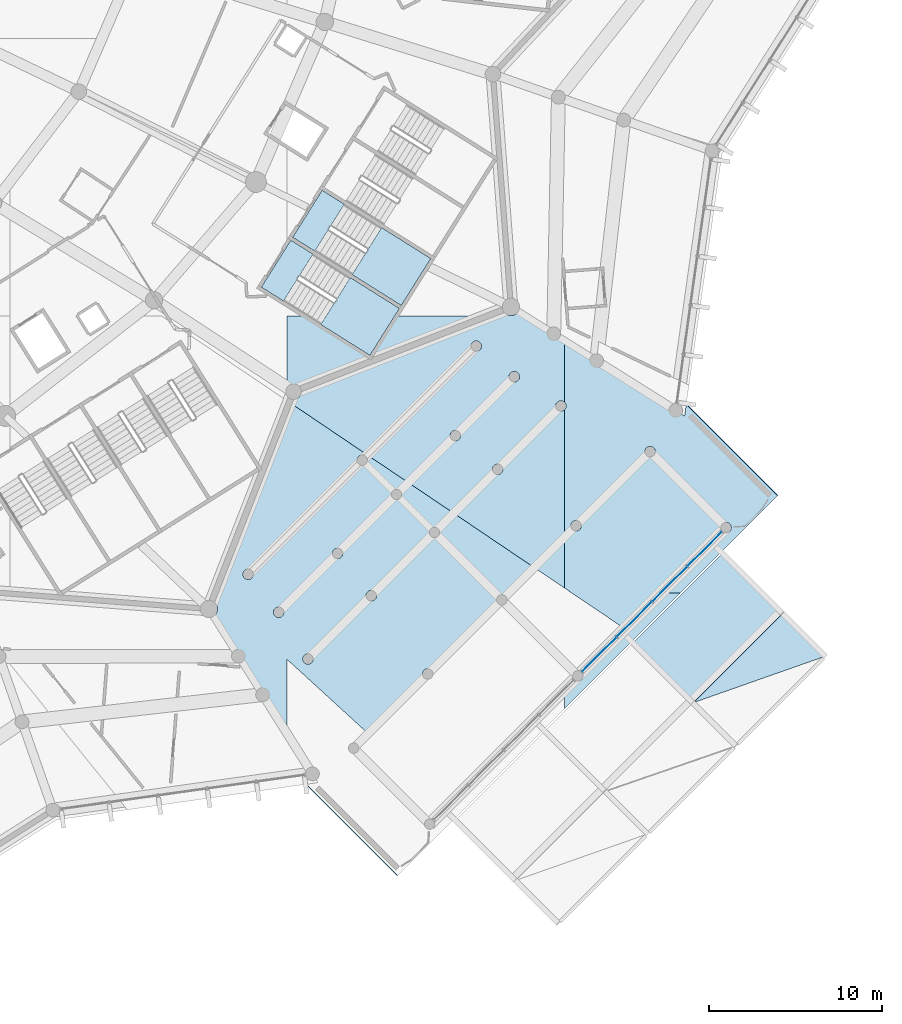
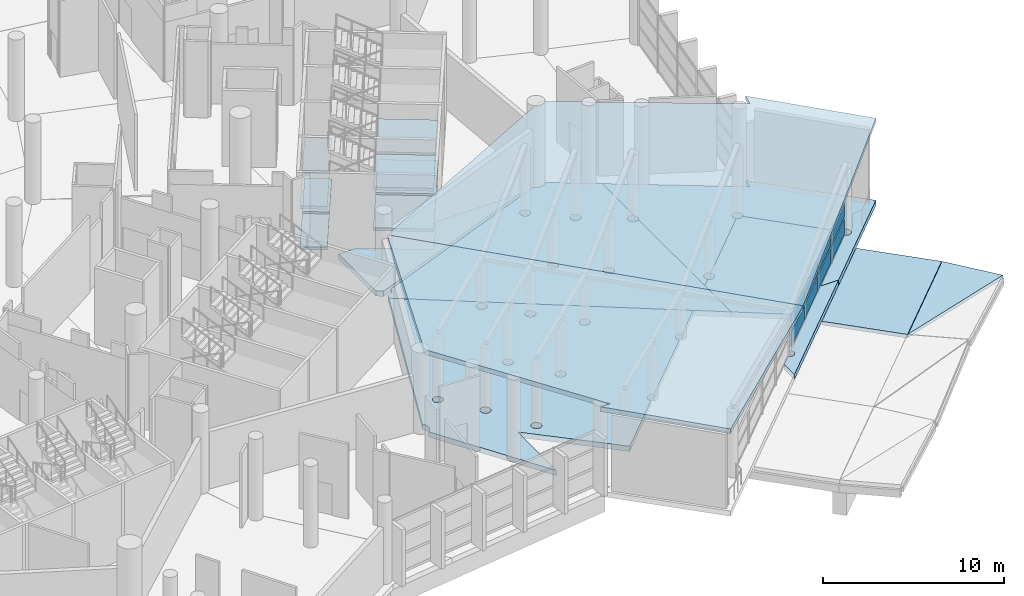
# One storey, part 130 of 271: 17 slabs, 8 plates, 3 elements without a shape of their own.
"""IFC4 building model written with IfcOpenShell, lengths in metres."""

from ifc_helpers import new_model, si_unit, direction, frame, origin, origin_2d, place, context, subcontext, project, spatial, polyline, rectangle, outline, extrude, material, layer, layer_set, type_object, element, aggregate, save


model = new_model("IFC4")

# Units and contexts
model_context = context("Model", 3, precision=1e-05, world=origin(), true_north=direction((0.0, 1.0)))
body_context = subcontext(model_context, "Body", "Model", "MODEL_VIEW")
ifc_project = project(units=[si_unit("LENGTHUNIT", "METRE"), si_unit("AREAUNIT", "SQUARE_METRE"), si_unit("VOLUMEUNIT", "CUBIC_METRE"), si_unit("PLANEANGLEUNIT", "RADIAN"), si_unit("MASSUNIT", "GRAM", prefix="KILO")], contexts=[model_context])

# Site, building, storey
site_placement = place(None, origin())
site = spatial("IfcSite", under=ifc_project, at=site_placement, CompositionType="ELEMENT")
building_placement = place(site_placement, origin())
building = spatial("IfcBuilding", under=site, at=building_placement, Name="Meseta Stadium", CompositionType="ELEMENT")
storey_placement = place(building_placement, frame((0.0, 0.0, 6.5)))
storey = spatial("IfcBuildingStorey", under=building, at=storey_placement, Name="L01", CompositionType="ELEMENT", Elevation=6.5)

# Slabs
ifc_material_1 = material(Name="White precast concrete C40/50", Category="concrete")
ifc_layer_1 = layer(ifc_material_1, 0.25)
ifc_layer_set_1 = layer_set([ifc_layer_1], Name="Canopy folded plate 250")
slab_type_1 = type_object("IfcSlabType", Name="Canopy folded plate 250", PredefinedType="ROOF", material=ifc_layer_set_1)
slab_1_placement = place(storey_placement, frame((103.4169921875, -102.325927734375, -0.10009765625), z_axis=(0.0, 0.0, 1.0), x_axis=(0.7071235026, 0.707090059377, 0.0)))
element("IfcSlab", 1, at=slab_1_placement, inside=storey, type_object=slab_type_1, Name="Entrance canopy folded plate B2", PredefinedType="ROOF", context=body_context, shape_type="SweptSolid", body=[
    extrude(outline(polyline([(0.0, 0.0), (7.300152457128014, 0.0), (7.299863944012684, 4.900201650792573), (-0.00011587554145187084, 4.900029021383546), (0.0, 0.0)])), origin(), (0.0, 0.0, -1.0), 0.25),
])
slab_2_placement = place(storey_placement, frame((103.463623046875, -102.3095703125, -0.100830078125), z_axis=(0.060423341337, -0.060423341337, 0.996342330549), x_axis=(0.942661991592, 0.331685790023, -0.037052750289)))
element("IfcSlab", 2, at=slab_2_placement, inside=storey, type_object=slab_type_1, Name="Entrance canopy folded plate T2a", PredefinedType="ROOF", context=body_context, shape_type="SweptSolid", body=[
    extrude(outline(polyline([(0.0, 0.0), (8.051759759406508, -8.500145032286355e-16), (6.537877022184194, 3.146041824573709), (0.0, 0.0)])), origin(), (0.0, 0.0, -1.0), 0.25),
])
ifc_material_2 = material(Name="Concrete C40/50", Category="concrete")
ifc_layer_2 = layer(ifc_material_2, 0.35009765625)
ifc_layer_set_2 = layer_set([ifc_layer_2], Name="Floor slab 350")
slab_type_2 = type_object("IfcSlabType", Name="Floor slab 350", PredefinedType="FLOOR", material=ifc_layer_set_2)
slab_3_placement = place(storey_placement, frame((0.0, 0.0, -0.35009765625)))
element("IfcSlab", 3, at=slab_3_placement, inside=storey, type_object=slab_type_2, Name="Floor slab L01 sector 49 panel 15", PredefinedType="FLOOR", context=body_context, shape_type="SweptSolid", body=[
    extrude(outline(polyline([(80.0, -80.0), (80.0, -84.126220703125), (80.365478515625, -84.365478515625), (91.56103515625, -80.0), (86.20068359375, -80.0), (84.771484375, -82.274658203125), (81.151611328125, -80.0), (80.0, -80.0)])), origin(), (0.0, 0.0, 1.0), 0.35009765625),
])
slab_4_placement = place(storey_placement, frame((0.0, 0.0, -0.35009765625)))
element("IfcSlab", 4, at=slab_4_placement, inside=storey, type_object=slab_type_2, Name="Gate hall floor slab 8 panel 01", PredefinedType="FLOOR", context=body_context, shape_type="SweptSolid", body=[
    extrude(outline(polyline([(75.740966796875, -97.33447265625), (80.0, -104.112548828125), (80.0, -99.828369140625), (84.66943359375, -104.102783203125), (87.894287109375, -100.878173828125), (87.84619140625, -100.8154296875), (87.81591796875, -100.742431640625), (87.8056640625, -100.664306640625), (87.81591796875, -100.5859375), (87.84619140625, -100.512939453125), (87.894287109375, -100.4501953125), (87.956787109375, -100.402099609375), (88.02978515625, -100.371826171875), (88.108154296875, -100.361572265625), (88.1865234375, -100.371826171875), (88.259521484375, -100.402099609375), (88.322265625, -100.4501953125), (92.172119140625, -96.60009765625), (92.124267578125, -96.53759765625), (92.093994140625, -96.464599609375), (92.08349609375, -96.38623046875), (92.093994140625, -96.307861328125), (92.124267578125, -96.23486328125), (92.172119140625, -96.172119140625), (92.23486328125, -96.124267578125), (92.307861328125, -96.093994140625), (92.38623046875, -96.08349609375), (92.464599609375, -96.093994140625), (92.53759765625, -96.124267578125), (92.60009765625, -96.172119140625), (94.251708984375, -94.520751953125), (86.990966796875, -89.619384765625), (80.277099609375, -85.087158203125), (75.8125, -96.53759765625), (75.831298828125, -96.552001953125), (75.911376953125, -96.656494140625), (75.961669921875, -96.778076171875), (75.97900390625, -96.908447265625), (75.961669921875, -97.0390625), (75.911376953125, -97.16064453125), (75.831298828125, -97.26513671875), (75.740966796875, -97.33447265625)]), holes=[polyline([(86.51904296875, -90.091064453125), (86.567138671875, -90.15380859375), (86.597412109375, -90.226806640625), (86.607666015625, -90.30517578125), (86.597412109375, -90.38330078125), (86.567138671875, -90.456298828125), (86.51904296875, -90.51904296875), (86.456298828125, -90.567138671875), (86.38330078125, -90.597412109375), (86.30517578125, -90.607666015625), (86.226806640625, -90.597412109375), (86.15380859375, -90.567138671875), (86.09130859375, -90.51904296875), (86.04296875, -90.456298828125), (86.0126953125, -90.38330078125), (86.00244140625, -90.30517578125), (86.0126953125, -90.226806640625), (86.04296875, -90.15380859375), (86.091064453125, -90.091064453125), (86.15380859375, -90.04296875), (86.226806640625, -90.0126953125), (86.30517578125, -90.00244140625), (86.38330078125, -90.0126953125), (86.456298828125, -90.04296875), (86.51904296875, -90.091064453125)]), polyline([(84.403564453125, -88.617431640625), (84.3251953125, -88.627685546875), (84.246826171875, -88.617431640625), (84.173828125, -88.587158203125), (84.111083984375, -88.539306640625), (84.06298828125, -88.4765625), (84.032958984375, -88.403564453125), (84.022705078125, -88.3251953125), (84.032958984375, -88.246826171875), (84.06298828125, -88.173828125), (84.111083984375, -88.111083984375), (84.173828125, -88.06298828125), (84.246826171875, -88.032958984375), (84.3251953125, -88.022705078125), (84.403564453125, -88.032958984375), (84.4765625, -88.06298828125), (84.539306640625, -88.111083984375), (84.587158203125, -88.173828125), (84.617431640625, -88.246826171875), (84.627685546875, -88.3251953125), (84.617431640625, -88.403564453125), (84.587158203125, -88.4765625), (84.539306640625, -88.539306640625), (84.4765625, -88.587158203125), (84.403564453125, -88.617431640625)]), polyline([(88.204833984375, -92.418701171875), (88.235107421875, -92.345703125), (88.283203125, -92.283203125), (88.345703125, -92.235107421875), (88.418701171875, -92.204833984375), (88.4970703125, -92.194580078125), (88.575439453125, -92.204833984375), (88.6484375, -92.235107421875), (88.7109375, -92.283203125), (88.75927734375, -92.345703125), (88.789306640625, -92.418701171875), (88.7998046875, -92.4970703125), (88.789306640625, -92.575439453125), (88.75927734375, -92.6484375), (88.711181640625, -92.711181640625), (88.6484375, -92.75927734375), (88.575439453125, -92.789306640625), (88.4970703125, -92.7998046875), (88.418701171875, -92.789306640625), (88.345703125, -92.75927734375), (88.283203125, -92.7109375), (88.235107421875, -92.6484375), (88.204833984375, -92.575439453125), (88.194580078125, -92.4970703125), (88.204833984375, -92.418701171875)]), polyline([(84.556640625, -96.2236328125), (84.54638671875, -96.145263671875), (84.556640625, -96.06689453125), (84.5869140625, -95.993896484375), (84.635009765625, -95.931396484375), (84.69775390625, -95.88330078125), (84.770751953125, -95.85302734375), (84.84912109375, -95.8427734375), (84.92724609375, -95.85302734375), (85.000244140625, -95.88330078125), (85.06298828125, -95.931396484375), (85.111083984375, -95.993896484375), (85.141357421875, -96.06689453125), (85.151611328125, -96.145263671875), (85.141357421875, -96.2236328125), (85.111083984375, -96.29638671875), (85.06298828125, -96.359130859375), (85.000244140625, -96.4072265625), (84.92724609375, -96.4375), (84.84912109375, -96.44775390625), (84.770751953125, -96.4375), (84.69775390625, -96.4072265625), (84.635009765625, -96.359130859375), (84.5869140625, -96.29638671875), (84.556640625, -96.2236328125)]), polyline([(83.199462890625, -93.781494140625), (83.169189453125, -93.854248046875), (83.12109375, -93.9169921875), (83.058349609375, -93.965087890625), (82.9853515625, -93.995361328125), (82.906982421875, -94.005615234375), (82.828857421875, -93.995361328125), (82.755859375, -93.965087890625), (82.693115234375, -93.9169921875), (82.64501953125, -93.854248046875), (82.61474609375, -93.781494140625), (82.6044921875, -93.703125), (82.61474609375, -93.624755859375), (82.64501953125, -93.5517578125), (82.693115234375, -93.489013671875), (82.755859375, -93.44091796875), (82.828857421875, -93.410888671875), (82.906982421875, -93.400390625), (82.9853515625, -93.410888671875), (83.058349609375, -93.44091796875), (83.12109375, -93.489013671875), (83.169189453125, -93.5517578125), (83.199462890625, -93.624755859375), (83.209716796875, -93.703125), (83.199462890625, -93.781494140625)]), polyline([(79.430908203125, -96.80859375), (79.50927734375, -96.79833984375), (79.58740234375, -96.80859375), (79.660400390625, -96.839111328125), (79.72314453125, -96.88720703125), (79.771240234375, -96.94970703125), (79.801513671875, -97.022705078125), (79.811767578125, -97.10107421875), (79.801513671875, -97.17919921875), (79.771240234375, -97.252197265625), (79.72314453125, -97.31494140625), (79.660400390625, -97.363037109375), (79.58740234375, -97.393310546875), (79.50927734375, -97.403564453125), (79.430908203125, -97.393310546875), (79.35791015625, -97.363037109375), (79.295166015625, -97.31494140625), (79.2470703125, -97.252197265625), (79.216796875, -97.17919921875), (79.20654296875, -97.10107421875), (79.216796875, -97.022705078125), (79.2470703125, -96.94970703125), (79.295166015625, -96.88720703125), (79.35791015625, -96.839111328125), (79.430908203125, -96.80859375)]), polyline([(81.12255859375, -100.085693359375), (81.049560546875, -100.055419921875), (80.98681640625, -100.00732421875), (80.938720703125, -99.944580078125), (80.90869140625, -99.87158203125), (80.898193359375, -99.79345703125), (80.90869140625, -99.715087890625), (80.938720703125, -99.64208984375), (80.98681640625, -99.579345703125), (81.049560546875, -99.53125), (81.12255859375, -99.501220703125), (81.200927734375, -99.49072265625), (81.279296875, -99.501220703125), (81.352294921875, -99.53125), (81.414794921875, -99.579345703125), (81.462890625, -99.64208984375), (81.4931640625, -99.715087890625), (81.50341796875, -99.79345703125), (81.4931640625, -99.87158203125), (81.462890625, -99.944580078125), (81.414794921875, -100.00732421875), (81.352294921875, -100.055419921875), (81.279296875, -100.085693359375), (81.200927734375, -100.095947265625), (81.12255859375, -100.085693359375)]), polyline([(77.52783203125, -95.12255859375), (77.479736328125, -95.059814453125), (77.449462890625, -94.98681640625), (77.439208984375, -94.90869140625), (77.449462890625, -94.830322265625), (77.479736328125, -94.75732421875), (77.52783203125, -94.694580078125), (77.590576171875, -94.646484375), (77.663330078125, -94.6162109375), (77.74169921875, -94.60595703125), (77.820068359375, -94.6162109375), (77.89306640625, -94.646484375), (77.955810546875, -94.694580078125), (78.00390625, -94.75732421875), (78.033935546875, -94.830322265625), (78.044189453125, -94.90869140625), (78.033935546875, -94.98681640625), (78.00390625, -95.059814453125), (77.955810546875, -95.12255859375), (77.89306640625, -95.170654296875), (77.820068359375, -95.200927734375), (77.74169921875, -95.211181640625), (77.663330078125, -95.200927734375), (77.590576171875, -95.170654296875), (77.52783203125, -95.12255859375)])]), origin(), (0.0, 0.0, 1.0), 0.35009765625),
])
slab_5_placement = place(storey_placement, frame((0.0, 0.0, -0.35009765625)))
element("IfcSlab", 5, at=slab_5_placement, inside=storey, type_object=slab_type_2, Name="Gate hall floor slab 8 panel 03", PredefinedType="FLOOR", context=body_context, shape_type="SweptSolid", body=[
    extrude(outline(polyline([(93.16064453125, -79.911376953125), (93.0390625, -79.961669921875), (92.908447265625, -79.97900390625), (92.778076171875, -79.961669921875), (92.656494140625, -79.911376953125), (92.552001953125, -79.831298828125), (92.53759765625, -79.8125), (80.81689453125, -84.382568359375), (80.8037109375, -84.48291015625), (80.758544921875, -84.59228515625), (80.686279296875, -84.686279296875), (80.59228515625, -84.758544921875), (80.48291015625, -84.8037109375), (80.382568359375, -84.81689453125), (80.277099609375, -85.087158203125), (96.0, -95.700927734375), (96.0, -85.42041015625), (95.944580078125, -85.462890625), (95.87158203125, -85.4931640625), (95.79345703125, -85.50341796875), (95.715087890625, -85.4931640625), (95.64208984375, -85.462890625), (95.57958984375, -85.414794921875), (95.53125, -85.352294921875), (95.501220703125, -85.279296875), (95.49072265625, -85.200927734375), (95.501220703125, -85.12255859375), (95.53125, -85.049560546875), (95.579345703125, -84.98681640625), (95.64208984375, -84.938720703125), (95.715087890625, -84.90869140625), (95.79345703125, -84.898193359375), (95.87158203125, -84.90869140625), (95.944580078125, -84.938720703125), (96.0, -84.981201171875), (96.0, -81.416015625), (93.33447265625, -79.740966796875), (93.26513671875, -79.831298828125), (93.16064453125, -79.911376953125)]), holes=[polyline([(91.993896484375, -89.111083984375), (91.931396484375, -89.06298828125), (91.88330078125, -89.000244140625), (91.85302734375, -88.92724609375), (91.8427734375, -88.84912109375), (91.85302734375, -88.770751953125), (91.88330078125, -88.69775390625), (91.931396484375, -88.635009765625), (91.993896484375, -88.5869140625), (92.06689453125, -88.556640625), (92.145263671875, -88.54638671875), (92.2236328125, -88.556640625), (92.29638671875, -88.5869140625), (92.359130859375, -88.635009765625), (92.4072265625, -88.69775390625), (92.4375, -88.770751953125), (92.44775390625, -88.84912109375), (92.4375, -88.92724609375), (92.4072265625, -89.000244140625), (92.359130859375, -89.06298828125), (92.29638671875, -89.111083984375), (92.2236328125, -89.141357421875), (92.145263671875, -89.151611328125), (92.06689453125, -89.141357421875), (91.993896484375, -89.111083984375)]), polyline([(89.703125, -86.6044921875), (89.781494140625, -86.61474609375), (89.854248046875, -86.64501953125), (89.9169921875, -86.693115234375), (89.965087890625, -86.755859375), (89.995361328125, -86.828857421875), (90.005615234375, -86.906982421875), (89.995361328125, -86.9853515625), (89.965087890625, -87.058349609375), (89.9169921875, -87.12109375), (89.854248046875, -87.169189453125), (89.781494140625, -87.199462890625), (89.703125, -87.209716796875), (89.624755859375, -87.199462890625), (89.5517578125, -87.169189453125), (89.489013671875, -87.12109375), (89.44091796875, -87.058349609375), (89.410888671875, -86.9853515625), (89.400390625, -86.906982421875), (89.410888671875, -86.828857421875), (89.44091796875, -86.755859375), (89.489013671875, -86.693115234375), (89.5517578125, -86.64501953125), (89.624755859375, -86.61474609375), (89.703125, -86.6044921875)]), polyline([(93.17919921875, -83.216796875), (93.252197265625, -83.2470703125), (93.31494140625, -83.295166015625), (93.363037109375, -83.35791015625), (93.393310546875, -83.430908203125), (93.403564453125, -83.50927734375), (93.393310546875, -83.58740234375), (93.363037109375, -83.660400390625), (93.31494140625, -83.72314453125), (93.252197265625, -83.771240234375), (93.17919921875, -83.801513671875), (93.10107421875, -83.811767578125), (93.022705078125, -83.801513671875), (92.94970703125, -83.771240234375), (92.88720703125, -83.72314453125), (92.839111328125, -83.660400390625), (92.80859375, -83.58740234375), (92.79833984375, -83.50927734375), (92.80859375, -83.430908203125), (92.839111328125, -83.35791015625), (92.88720703125, -83.295166015625), (92.94970703125, -83.2470703125), (93.022705078125, -83.216796875), (93.10107421875, -83.20654296875), (93.17919921875, -83.216796875)]), polyline([(90.90869140625, -81.439208984375), (90.98681640625, -81.449462890625), (91.059814453125, -81.479736328125), (91.12255859375, -81.52783203125), (91.170654296875, -81.590576171875), (91.200927734375, -81.663330078125), (91.211181640625, -81.74169921875), (91.200927734375, -81.820068359375), (91.170654296875, -81.89306640625), (91.12255859375, -81.955810546875), (91.059814453125, -82.00390625), (90.98681640625, -82.033935546875), (90.90869140625, -82.044189453125), (90.830322265625, -82.033935546875), (90.75732421875, -82.00390625), (90.694580078125, -81.955810546875), (90.646484375, -81.89306640625), (90.6162109375, -81.820068359375), (90.60595703125, -81.74169921875), (90.6162109375, -81.663330078125), (90.646484375, -81.590576171875), (90.694580078125, -81.52783203125), (90.75732421875, -81.479736328125), (90.830322265625, -81.449462890625), (90.90869140625, -81.439208984375)])]), origin(), (0.0, 0.0, 1.0), 0.35009765625),
])
slab_6_placement = place(storey_placement, frame((0.0, 0.0, -0.35009765625)))
element("IfcSlab", 6, at=slab_6_placement, inside=storey, type_object=slab_type_2, Name="Gate hall floor slab 8 panel 04", PredefinedType="FLOOR", context=body_context, shape_type="SweptSolid", body=[
    extrude(outline(polyline([(96.921630859375, -101.0322265625), (96.8486328125, -101.0625), (96.770263671875, -101.072998046875), (96.69189453125, -101.0625), (96.618896484375, -101.0322265625), (96.556396484375, -100.984130859375), (96.0, -101.54052734375), (96.0, -102.671875), (102.671875, -96.0), (101.54052734375, -96.0), (105.1123046875, -92.42822265625), (105.064208984375, -92.365478515625), (105.033935546875, -92.29248046875), (105.023681640625, -92.21435546875), (105.033935546875, -92.135986328125), (105.064208984375, -92.06298828125), (105.1123046875, -92.000244140625), (101.15625, -88.044189453125), (101.093505859375, -88.09228515625), (101.0205078125, -88.12255859375), (100.942138671875, -88.1328125), (100.864013671875, -88.12255859375), (100.791015625, -88.09228515625), (100.728271484375, -88.044189453125), (96.878173828125, -91.894287109375), (96.92626953125, -91.956787109375), (96.95654296875, -92.02978515625), (96.966796875, -92.108154296875), (96.95654296875, -92.1865234375), (96.92626953125, -92.259521484375), (96.878173828125, -92.322265625), (96.8154296875, -92.370361328125), (96.742431640625, -92.400390625), (96.664306640625, -92.410888671875), (96.5859375, -92.400390625), (96.512939453125, -92.370361328125), (96.4501953125, -92.322265625), (96.0, -92.7724609375), (96.0, -95.700927734375), (99.486083984375, -98.054443359375), (96.984130859375, -100.556396484375), (97.0322265625, -100.618896484375), (97.0625, -100.69189453125), (97.072998046875, -100.770263671875), (97.0625, -100.8486328125), (97.0322265625, -100.921630859375), (96.984130859375, -100.984130859375), (96.921630859375, -101.0322265625)])), origin(), (0.0, 0.0, 1.0), 0.35009765625),
])
slab_7_placement = place(storey_placement, frame((0.0, 0.0, -0.35009765625)))
element("IfcSlab", 7, at=slab_7_placement, inside=storey, type_object=slab_type_2, Name="Gate hall floor slab 8 panel 05", PredefinedType="FLOOR", context=body_context, shape_type="SweptSolid", body=[
    extrude(outline(polyline([(102.931396484375, -85.771240234375), (96.0, -81.416015625), (96.0, -84.981201171875), (96.00732421875, -84.98681640625), (96.055419921875, -85.049560546875), (96.085693359375, -85.12255859375), (96.095947265625, -85.200927734375), (96.085693359375, -85.279296875), (96.055419921875, -85.352294921875), (96.00732421875, -85.414794921875), (96.0, -85.42041015625), (96.0, -92.7724609375), (96.4501953125, -92.322265625), (96.402099609375, -92.259521484375), (96.371826171875, -92.1865234375), (96.361572265625, -92.108154296875), (96.371826171875, -92.02978515625), (96.402099609375, -91.956787109375), (96.4501953125, -91.894287109375), (96.512939453125, -91.84619140625), (96.5859375, -91.81591796875), (96.664306640625, -91.8056640625), (96.742431640625, -91.81591796875), (96.8154296875, -91.84619140625), (96.878173828125, -91.894287109375), (100.728271484375, -88.044189453125), (100.68017578125, -87.9814453125), (100.64990234375, -87.908447265625), (100.6396484375, -87.830078125), (100.64990234375, -87.751953125), (100.68017578125, -87.678955078125), (100.728271484375, -87.6162109375), (100.791015625, -87.568115234375), (100.864013671875, -87.537841796875), (100.942138671875, -87.527587890625), (101.0205078125, -87.537841796875), (101.093505859375, -87.568115234375), (101.15625, -87.6162109375), (101.2041015625, -87.678955078125), (101.234619140625, -87.751953125), (101.244873046875, -87.830078125), (101.234619140625, -87.908447265625), (101.2041015625, -87.9814453125), (101.15625, -88.044189453125), (105.1123046875, -92.000244140625), (105.175048828125, -91.9521484375), (105.247802734375, -91.922119140625), (105.326416015625, -91.91162109375), (105.404541015625, -91.922119140625), (105.4775390625, -91.9521484375), (105.540283203125, -92.000244140625), (105.58837890625, -92.06298828125), (105.618408203125, -92.135986328125), (105.62890625, -92.21435546875), (105.618408203125, -92.29248046875), (105.58837890625, -92.365478515625), (105.540283203125, -92.42822265625), (105.4775390625, -92.476318359375), (105.404541015625, -92.506591796875), (105.326416015625, -92.516845703125), (105.247802734375, -92.506591796875), (105.175048828125, -92.476318359375), (105.1123046875, -92.42822265625), (101.54052734375, -96.0), (102.671875, -96.0), (108.296142578125, -90.375732421875), (103.0263671875, -85.106201171875), (102.931396484375, -85.771240234375)])), origin(), (0.0, 0.0, 1.0), 0.35009765625),
])
ifc_material_3 = material(Name="Concrete C40/50", Category="concrete")
ifc_layer_3 = layer(ifc_material_3, 0.300048828125)
ifc_layer_set_3 = layer_set([ifc_layer_3], Name="Gate roof plate 300")
slab_type_3 = type_object("IfcSlabType", Name="Gate roof plate 300", PredefinedType="ROOF", material=ifc_layer_set_3)
slab_8_placement = place(storey_placement, frame((97.3359375, -101.3359375, 3.366455078125), z_axis=(0.112023471472, 0.084021078401, 0.990147059898), x_axis=(-0.706965680851, 0.706965186743, 0.019993769815)))
element("IfcSlab", 8, at=slab_8_placement, inside=storey, type_object=slab_type_3, Name="Gate 8 butterfly roof wing", PredefinedType="ROOF", context=body_context, shape_type="SweptSolid", body=[
    extrude(outline(polyline([(0.0, 0.0), (23.80815667110566, 1.2906342661267445e-15), (18.40877363816554, 12.498320933442107), (18.409809232303967, 12.499001929109385), (7.0926149610157125, 15.108367053860201), (7.49729829414636, 15.65100751899235), (0.04339521530442817, 15.651195739966516), (0.0, 0.0)])), origin(), (0.0, 0.0, -1.0), 0.300048828125),
])
slab_9_placement = place(storey_placement, frame((102.931396484375, -85.771240234375, 5.602294921875), z_axis=(-0.084021078401, -0.112023471472, 0.990147059898), x_axis=(-0.846664779209, 0.531998952486, -0.01165616582)))
element("IfcSlab", 9, at=slab_9_placement, inside=storey, type_object=slab_type_3, Name="Gate 8 butterfly roof wing", PredefinedType="ROOF", context=body_context, shape_type="SweptSolid", body=[
    extrude(outline(polyline([(0.0, 0.0), (11.614115227960566, 3.0878077872387166e-16), (11.613259109908409, 0.000896254539272643), (19.682625363906283, 10.966601500922609), (-3.516863275529573, 16.31562486454698), (-6.990961082423625, 1.0548104805243765), (0.27242133664909524, -0.6196885426170821), (0.0, 0.0)])), origin(), (0.0, 0.0, -1.0), 0.300048828125),
])

# Curtain wall, plates
ifc_material_4 = material(Name="Aluminium", Category="aluminium")
ifc_layer_4 = layer(ifc_material_4, 0.199951171875)
ifc_layer_set_4 = layer_set([ifc_layer_4], Name="Gate hall curtain wall")
curtain_wall_type = type_object("IfcCurtainWallType", Name="Gate hall curtain wall", PredefinedType="NOTDEFINED", material=ifc_layer_set_4)
curtain_wall_placement = place(storey_placement, origin())
curtain_wall = element("IfcCurtainWall", 10, at=curtain_wall_placement, inside=storey, type_object=curtain_wall_type, Name="Gate 8 hall glazing", PredefinedType="NOTDEFINED")
ifc_material_5 = material(Name="Glass", Category="glass")
ifc_layer_5 = layer(ifc_material_5, 0.035888671875)
ifc_layer_set_5 = layer_set([ifc_layer_5], Name="Ring CW glass panel 36")
plate_type = type_object("IfcPlateType", Name="Ring CW glass panel 36", PredefinedType="CURTAIN_PANEL", material=ifc_layer_set_5)
plate_1_placement = place(storey_placement, frame((104.0869140625, -93.453369140625, 0.14990234375), z_axis=(0.0, 0.0, 1.0), x_axis=(-0.707106781187, -0.707106781187, 0.0)))
plate_1 = element("IfcPlate", 11, at=plate_1_placement, type_object=plate_type, Name="CWG1 panel 1.1", PredefinedType="CURTAIN_PANEL", context=body_context, shape_type="SweptSolid", body=[
    extrude(rectangle(XDim=2.784912109375, YDim=0.035888671875, at=origin_2d()), origin(), (0.0, 0.0, 1.0), 0.997314453125),
])
plate_2_placement = place(storey_placement, frame((104.0869140625, -93.453369140625, 1.29736328125), z_axis=(0.0, 0.0, 1.0), x_axis=(-0.707106781187, -0.707106781187, 0.0)))
plate_2 = element("IfcPlate", 12, at=plate_2_placement, type_object=plate_type, Name="CWG1 panel 1.2", PredefinedType="CURTAIN_PANEL", context=body_context, shape_type="SweptSolid", body=[
    extrude(rectangle(XDim=2.784912109375, YDim=0.035888671875, at=origin_2d()), origin(), (0.0, 0.0, 1.0), 0.997314453125),
])
plate_3_placement = place(storey_placement, frame((102.064697265625, -95.475830078125, 0.14990234375), z_axis=(0.0, 0.0, 1.0), x_axis=(-0.707106781187, -0.707106781187, 0.0)))
plate_3 = element("IfcPlate", 13, at=plate_3_placement, type_object=plate_type, Name="CWG1 panel 2.1", PredefinedType="CURTAIN_PANEL", context=body_context, shape_type="SweptSolid", body=[
    extrude(rectangle(XDim=2.81494140625, YDim=0.035888671875, at=origin_2d()), origin(), (0.0, 0.0, 1.0), 0.997314453125),
])
plate_4_placement = place(storey_placement, frame((102.064697265625, -95.475830078125, 1.29736328125), z_axis=(0.0, 0.0, 1.0), x_axis=(-0.707106781187, -0.707106781187, 0.0)))
plate_4 = element("IfcPlate", 14, at=plate_4_placement, type_object=plate_type, Name="CWG1 panel 2.2", PredefinedType="CURTAIN_PANEL", context=body_context, shape_type="SweptSolid", body=[
    extrude(rectangle(XDim=2.81494140625, YDim=0.035888671875, at=origin_2d()), origin(), (0.0, 0.0, 1.0), 0.997314453125),
])
plate_5_placement = place(storey_placement, frame((100.03173828125, -97.5087890625, 0.14990234375), z_axis=(0.0, 0.0, 1.0), x_axis=(-0.707106781187, -0.707106781187, 0.0)))
plate_5 = element("IfcPlate", 15, at=plate_5_placement, type_object=plate_type, Name="CWG1 panel 3.1", PredefinedType="CURTAIN_PANEL", context=body_context, shape_type="SweptSolid", body=[
    extrude(rectangle(XDim=2.81494140625, YDim=0.035888671875, at=origin_2d()), origin(), (0.0, 0.0, 1.0), 0.997314453125),
])
plate_6_placement = place(storey_placement, frame((100.03173828125, -97.5087890625, 1.29736328125), z_axis=(0.0, 0.0, 1.0), x_axis=(-0.707106781187, -0.707106781187, 0.0)))
plate_6 = element("IfcPlate", 16, at=plate_6_placement, type_object=plate_type, Name="CWG1 panel 3.2", PredefinedType="CURTAIN_PANEL", context=body_context, shape_type="SweptSolid", body=[
    extrude(rectangle(XDim=2.81494140625, YDim=0.035888671875, at=origin_2d()), origin(), (0.0, 0.0, 1.0), 0.997314453125),
])
plate_7_placement = place(storey_placement, frame((98.009521484375, -99.531005859375, 0.14990234375), z_axis=(0.0, 0.0, 1.0), x_axis=(-0.707106781187, -0.707106781187, 0.0)))
plate_7 = element("IfcPlate", 17, at=plate_7_placement, type_object=plate_type, Name="CWG1 panel 4.1", PredefinedType="CURTAIN_PANEL", context=body_context, shape_type="SweptSolid", body=[
    extrude(rectangle(XDim=2.784912109375, YDim=0.035888671875, at=origin_2d()), origin(), (0.0, 0.0, 1.0), 0.997314453125),
])
plate_8_placement = place(storey_placement, frame((98.009521484375, -99.531005859375, 1.29736328125), z_axis=(0.0, 0.0, 1.0), x_axis=(-0.707106781187, -0.707106781187, 0.0)))
plate_8 = element("IfcPlate", 18, at=plate_8_placement, type_object=plate_type, Name="CWG1 panel 4.2", PredefinedType="CURTAIN_PANEL", context=body_context, shape_type="SweptSolid", body=[
    extrude(rectangle(XDim=2.784912109375, YDim=0.035888671875, at=origin_2d()), origin(), (0.0, 0.0, 1.0), 0.997314453125),
])
aggregate(curtain_wall, [plate_1, plate_2, plate_3, plate_4, plate_5, plate_6, plate_7, plate_8])

# Stair, slabs
ifc_material_6 = material(Name="Concrete C40/50", Category="concrete")
stair_type = type_object("IfcStairType", Name="Exit stair 4 flights 153 mm risers", PredefinedType="HALF_TURN_STAIR", material=ifc_material_6)
stair_1_placement = place(storey_placement, origin())
stair_1 = element("IfcStair", 19, at=stair_1_placement, inside=storey, type_object=stair_type, Name="ST109 L01", PredefinedType="HALF_TURN_STAIR")
ifc_material_7 = material(Name="Concrete C40/50", Category="concrete")
ifc_layer_6 = layer(ifc_material_7, 0.199951171875)
ifc_layer_set_6 = layer_set([ifc_layer_6], Name="Stair landing 200")
slab_type_4 = type_object("IfcSlabType", Name="Stair landing 200", PredefinedType="LANDING", material=ifc_layer_set_6)
slab_10_placement = place(storey_placement, frame((0.0, 0.0, 1.175048828125)))
slab_10 = element("IfcSlab", 20, at=slab_10_placement, type_object=slab_type_4, Name="ST109 L01 landing 1", PredefinedType="LANDING", context=body_context, shape_type="SweptSolid", body=[
    extrude(outline(polyline([(81.93505859375, -80.492431640625), (84.771484375, -82.274658203125), (86.47412109375, -79.565185546875), (83.637451171875, -77.78271484375), (81.93505859375, -80.492431640625)])), origin(), (0.0, 0.0, 1.0), 0.199951171875),
])
slab_11_placement = place(storey_placement, frame((0.0, 0.0, 2.550048828125)))
slab_11 = element("IfcSlab", 21, at=slab_11_placement, type_object=slab_type_4, Name="ST109 L01 landing 2", PredefinedType="LANDING", context=body_context, shape_type="SweptSolid", body=[
    extrude(outline(polyline([(78.505859375, -78.337646484375), (79.784423828125, -79.140869140625), (81.48681640625, -76.431396484375), (80.208251953125, -75.628173828125), (78.505859375, -78.337646484375)])), origin(), (0.0, 0.0, 1.0), 0.199951171875),
])
slab_12_placement = place(storey_placement, frame((0.0, 0.0, 3.925048828125)))
slab_12 = element("IfcSlab", 22, at=slab_12_placement, type_object=slab_type_4, Name="ST109 L01 landing 3", PredefinedType="LANDING", context=body_context, shape_type="SweptSolid", body=[
    extrude(outline(polyline([(81.93505859375, -80.492431640625), (84.771484375, -82.274658203125), (86.47412109375, -79.565185546875), (83.637451171875, -77.78271484375), (81.93505859375, -80.492431640625)])), origin(), (0.0, 0.0, 1.0), 0.199951171875),
])
slab_13_placement = place(storey_placement, frame((0.0, 0.0, -0.199951171875)))
slab_13 = element("IfcSlab", 23, at=slab_13_placement, type_object=slab_type_4, Name="ST109 L01 landing 4", PredefinedType="LANDING", context=body_context, shape_type="SweptSolid", body=[
    extrude(outline(polyline([(78.505859375, -78.337646484375), (79.784423828125, -79.140869140625), (81.48681640625, -76.431396484375), (80.208251953125, -75.628173828125), (78.505859375, -78.337646484375)])), origin(), (0.0, 0.0, 1.0), 0.199951171875),
])
aggregate(stair_1, [slab_10, slab_11, slab_12, slab_13])

stair_2_placement = place(storey_placement, origin())
stair_2 = element("IfcStair", 24, at=stair_2_placement, inside=storey, type_object=stair_type, Name="ST110 L01", PredefinedType="HALF_TURN_STAIR")
slab_14_placement = place(storey_placement, frame((0.0, 0.0, 1.175048828125)))
slab_14 = element("IfcSlab", 25, at=slab_14_placement, type_object=slab_type_4, Name="ST110 L01 landing 1", PredefinedType="LANDING", context=body_context, shape_type="SweptSolid", body=[
    extrude(outline(polyline([(83.743896484375, -77.613525390625), (86.58056640625, -79.395751953125), (88.282958984375, -76.686279296875), (85.446533203125, -74.904052734375), (83.743896484375, -77.613525390625)])), origin(), (0.0, 0.0, 1.0), 0.199951171875),
])
slab_15_placement = place(storey_placement, frame((0.0, 0.0, 2.550048828125)))
slab_15 = element("IfcSlab", 26, at=slab_15_placement, type_object=slab_type_4, Name="ST110 L01 landing 2", PredefinedType="LANDING", context=body_context, shape_type="SweptSolid", body=[
    extrude(outline(polyline([(80.314697265625, -75.458740234375), (81.59326171875, -76.26220703125), (83.2958984375, -73.552490234375), (82.017333984375, -72.749267578125), (80.314697265625, -75.458740234375)])), origin(), (0.0, 0.0, 1.0), 0.199951171875),
])
slab_16_placement = place(storey_placement, frame((0.0, 0.0, 3.925048828125)))
slab_16 = element("IfcSlab", 27, at=slab_16_placement, type_object=slab_type_4, Name="ST110 L01 landing 3", PredefinedType="LANDING", context=body_context, shape_type="SweptSolid", body=[
    extrude(outline(polyline([(83.743896484375, -77.613525390625), (86.58056640625, -79.395751953125), (88.282958984375, -76.686279296875), (85.446533203125, -74.904052734375), (83.743896484375, -77.613525390625)])), origin(), (0.0, 0.0, 1.0), 0.199951171875),
])
slab_17_placement = place(storey_placement, frame((0.0, 0.0, -0.199951171875)))
slab_17 = element("IfcSlab", 28, at=slab_17_placement, type_object=slab_type_4, Name="ST110 L01 landing 4", PredefinedType="LANDING", context=body_context, shape_type="SweptSolid", body=[
    extrude(outline(polyline([(80.314697265625, -75.458740234375), (81.59326171875, -76.26220703125), (83.2958984375, -73.552490234375), (82.017333984375, -72.749267578125), (80.314697265625, -75.458740234375)])), origin(), (0.0, 0.0, 1.0), 0.199951171875),
])
aggregate(stair_2, [slab_14, slab_15, slab_16, slab_17])

save(model, "model.ifc")
